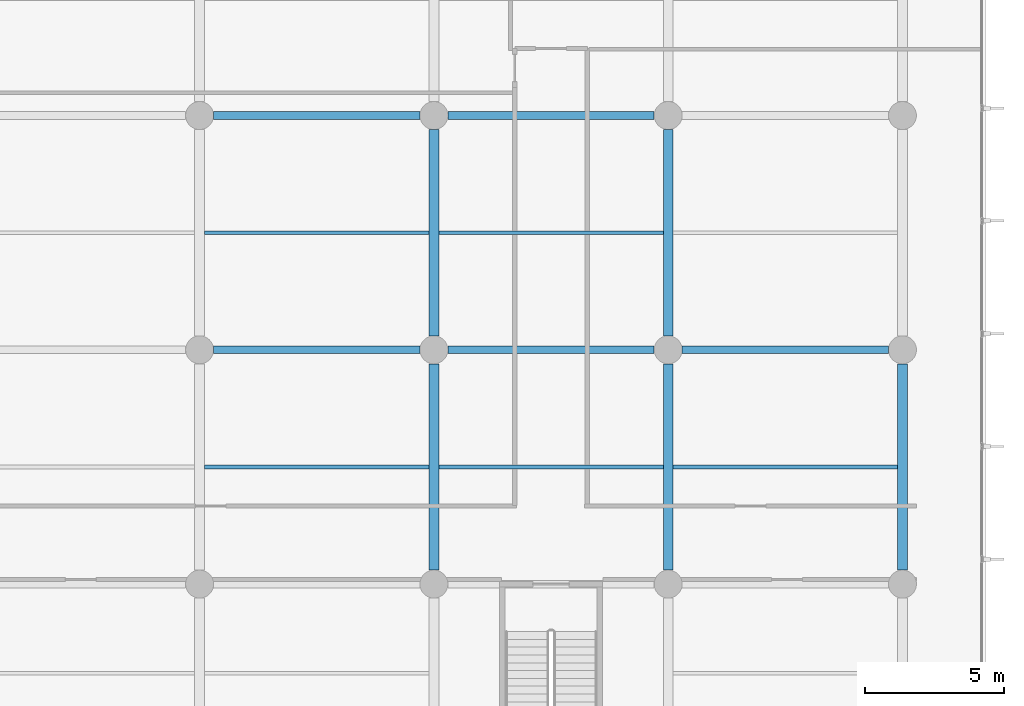
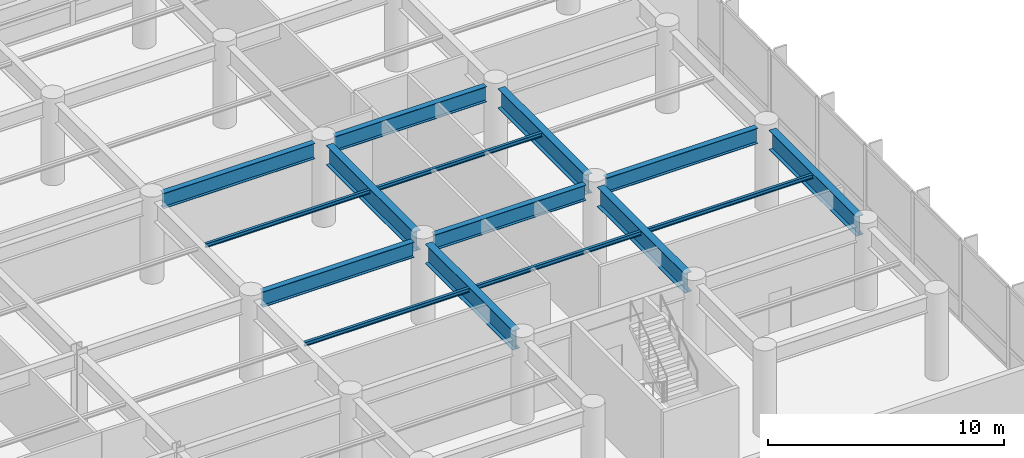
# One storey, part 8 of 26: 15 beams.
"""IFC4 building model written with IfcOpenShell, lengths in metres."""

import ifcopenshell
import ifcopenshell.guid

model = None  # the IFC model being written
_history = None  # IfcOwnerHistory: only IFC2X3 demands one
_inside = {}  # id of a spatial element -> (the spatial element, [elements in it])
_under = {}  # id of a project, library or spatial element -> (it, [spatial elements below it])
_declared = {}  # id of a project -> (the project, [libraries it declares])
_typed = {}  # id of a type object -> (the type object, [elements of that type])
_made_of = {}  # id of a material, layer set ... -> (it, [elements and type objects made of it])


def new_model(schema):
    """Start an empty IFC model of exactly this schema.

    Asked for "IFC4X3", IfcOpenShell would pick the latest addendum, in which some entities
    have other attributes; the version numbers below select the first issue.
    IFC2X3 requires an IfcOwnerHistory on every rooted entity: one is made here for all.
    """
    global model, _history
    if schema == "IFC4X3":
        model = ifcopenshell.file(schema_version=(4, 3, 0, 0))
    else:
        model = ifcopenshell.file(schema=schema)
    _inside.clear()
    _under.clear()
    _declared.clear()
    _typed.clear()
    _made_of.clear()
    _history = None
    if model.schema == "IFC2X3":
        org = make("IfcOrganization", Name="unknown")
        user = make(
            "IfcPersonAndOrganization",
            ThePerson=make("IfcPerson", FamilyName="unknown"),
            TheOrganization=org,
        )
        app = make(
            "IfcApplication",
            ApplicationDeveloper=org,
            Version="unknown",
            ApplicationFullName="unknown",
            ApplicationIdentifier="unknown",
        )
        _history = make(
            "IfcOwnerHistory",
            OwningUser=user,
            OwningApplication=app,
            ChangeAction="ADDED",
            CreationDate=0,
        )
    return model


def make(cls, **values):
    """One entity of the class cls with the attributes given. An attribute that is None is left unset."""
    return model.create_entity(
        cls, **{name: value for name, value in values.items() if value is not None}
    )


def rooted(cls, **values):
    """An entity with a GlobalId (a new one), such as an element, a storey or a relation."""
    return make(cls, GlobalId=ifcopenshell.guid.new(), OwnerHistory=_history, **values)


def si_unit(unit_type, name, prefix=None):
    """IfcSIUnit, for example si_unit("LENGTHUNIT", "METRE", prefix="MILLI")."""
    return make("IfcSIUnit", UnitType=unit_type, Prefix=prefix, Name=name)


def assignment(units):
    """IfcUnitAssignment: the units of a project."""
    return None if units is None else make("IfcUnitAssignment", Units=units)


def point(xyz):
    """IfcCartesianPoint."""
    return None if xyz is None else make("IfcCartesianPoint", Coordinates=xyz)


def direction(xyz):
    """IfcDirection."""
    return None if xyz is None else make("IfcDirection", DirectionRatios=xyz)


def frame(location, z_axis=None, x_axis=None):
    """IfcAxis2Placement3D, a coordinate frame: its origin and axes. An axis left out is left unset."""
    return make(
        "IfcAxis2Placement3D",
        Location=point(location),
        Axis=direction(z_axis),
        RefDirection=direction(x_axis),
    )


def frame_2d(location, x_axis=None):
    """IfcAxis2Placement2D, a coordinate frame in the plane: its origin and x axis."""
    return make(
        "IfcAxis2Placement2D", Location=point(location), RefDirection=direction(x_axis)
    )


def origin():
    """The frame at (0, 0, 0) with its axes left unset."""
    return frame((0.0, 0.0, 0.0))


def origin_2d():
    """The frame at (0, 0) in the plane with its x axis left unset."""
    return frame_2d((0.0, 0.0))


def place(relative_to, where):
    """IfcLocalPlacement: puts the frame where relative to a parent placement (None: the world)."""
    return make(
        "IfcLocalPlacement", PlacementRelTo=relative_to, RelativePlacement=where
    )


def context(
    kind, dimensions, precision=None, world=None, true_north=None, identifier=None
):
    """IfcGeometricRepresentationContext, for example the 3D "Model" context."""
    return make(
        "IfcGeometricRepresentationContext",
        ContextIdentifier=identifier,
        ContextType=kind,
        CoordinateSpaceDimension=dimensions,
        Precision=precision,
        WorldCoordinateSystem=world,
        TrueNorth=true_north,
    )


def subcontext(parent, identifier, kind, view, scale=None):
    """IfcGeometricRepresentationSubContext, for example "Body" below "Model"."""
    return make(
        "IfcGeometricRepresentationSubContext",
        ContextIdentifier=identifier,
        ContextType=kind,
        ParentContext=parent,
        TargetScale=scale,
        TargetView=view,
    )


def project(units=None, contexts=None):
    """IfcProject with its units and contexts."""
    return rooted(
        "IfcProject",
        Name="project",
        RepresentationContexts=contexts,
        UnitsInContext=assignment(units),
    )


def spatial(cls, under=None, at=None, **own):
    """A site, building, storey or space (cls), placed at a placement, below another one or the project."""
    s = rooted(cls, ObjectPlacement=at, **own)
    if under is not None:
        _under.setdefault(under.id(), (under, []))[1].append(s)
    return s


def profile(cls, at=None, kind="AREA", **sizes):
    """A parametric profile (cls). Its sizes go by their IFC names, for example OverallWidth=200.0."""
    return make(cls, ProfileType=kind, Position=at, **sizes)


def i_section(**sizes):
    """IfcIShapeProfileDef."""
    return profile("IfcIShapeProfileDef", **sizes)


def extrude(swept, where, along, depth):
    """IfcExtrudedAreaSolid: the profile swept, set in the frame where, extruded along a direction by depth."""
    return make(
        "IfcExtrudedAreaSolid",
        SweptArea=swept,
        Position=where,
        ExtrudedDirection=direction(along),
        Depth=depth,
    )


def shape(context_of_items, identifier, shape_type, items):
    """IfcShapeRepresentation: the items that make up one representation, for example the "Body"."""
    return make(
        "IfcShapeRepresentation",
        ContextOfItems=context_of_items,
        RepresentationIdentifier=identifier,
        RepresentationType=shape_type,
        Items=items,
    )


def material(Name=None, Category=None):
    """IfcMaterial."""
    return make("IfcMaterial", Name=Name, Category=Category)


def material_profile(
    of_material, cross_section, Name=None, Category=None, Priority=None
):
    """IfcMaterialProfile: a cross section and its material."""
    return make(
        "IfcMaterialProfile",
        Name=Name,
        Material=of_material,
        Profile=cross_section,
        Priority=Priority,
        Category=Category,
    )


def profile_set(profiles, Name=None, composite=None):
    """IfcMaterialProfileSet."""
    return make(
        "IfcMaterialProfileSet",
        Name=Name,
        MaterialProfiles=profiles,
        CompositeProfile=composite,
    )


def made_of(thing, what):
    """Note that an element or type object is made of a material, layer set ...; save() writes the relation."""
    if what is not None:
        _made_of.setdefault(what.id(), (what, []))[1].append(thing)
    return thing


def type_object(cls, material=None, **own):
    """A type object (cls), such as IfcWallType, which elements share."""
    return made_of(rooted(cls, **own), material)


def element(
    cls,
    number,
    at=None,
    inside=None,
    cuts=None,
    type_object=None,
    material=None,
    context=None,
    identifier="Body",
    shape_type=None,
    held_by="IfcProductDefinitionShape",
    body=None,
    shapes=None,
    **own,
):
    """One element of the class cls, such as IfcWall. Its Tag is "e" and its number.

    at: its placement. inside: the storey or other place that contains it. cuts: it is an
    opening in that element (IfcRelVoidsElement). A single representation is given by context,
    identifier, shape_type and body (its items); several are given by shapes. held_by: the class
    of the entity that holds the representations. save() writes the other relations.
    """
    e = rooted(cls, Tag="e%d" % number, ObjectPlacement=at, **own)
    if body is not None:
        shapes = [shape(context, identifier, shape_type, body)]
    if shapes is not None:
        e.Representation = make(held_by, Representations=shapes)
    if inside is not None:
        _inside.setdefault(inside.id(), (inside, []))[1].append(e)
    if cuts is not None:
        rooted(
            "IfcRelVoidsElement", RelatingBuildingElement=cuts, RelatedOpeningElement=e
        )
    if type_object is not None:
        _typed.setdefault(type_object.id(), (type_object, []))[1].append(e)
    return made_of(e, material)


def aggregate(whole, parts):
    """IfcRelAggregates: a whole, such as a stair, and the parts it consists of."""
    return rooted("IfcRelAggregates", RelatingObject=whole, RelatedObjects=parts)


def save(model, path):
    """Write the relations noted so far, then the file.

    IfcRelAggregates (storeys below a building ...), IfcRelContainedInSpatialStructure (elements
    in a storey), IfcRelDefinesByType, IfcRelAssociatesMaterial and IfcRelDeclares: one each for
    every whole, place, type object, material and project.
    """
    for whole, parts in _under.values():
        aggregate(whole, parts)
    for where, things in _inside.values():
        rooted(
            "IfcRelContainedInSpatialStructure",
            RelatedElements=things,
            RelatingStructure=where,
        )
    for kind, things in _typed.values():
        rooted("IfcRelDefinesByType", RelatedObjects=things, RelatingType=kind)
    for what, things in _made_of.values():
        rooted("IfcRelAssociatesMaterial", RelatedObjects=things, RelatingMaterial=what)
    for by, libraries in _declared.values():
        rooted("IfcRelDeclares", RelatingContext=by, RelatedDefinitions=libraries)
    model.write(path)


model = new_model("IFC4")

# Units and contexts
model_context = context("Model", 3, precision=1e-05, world=origin(), true_north=direction((0.0, 1.0)))
body_context = subcontext(model_context, "Body", "Model", "MODEL_VIEW")
ifc_project = project(units=[si_unit("LENGTHUNIT", "METRE"), si_unit("AREAUNIT", "SQUARE_METRE"), si_unit("VOLUMEUNIT", "CUBIC_METRE"), si_unit("PLANEANGLEUNIT", "RADIAN"), si_unit("MASSUNIT", "GRAM", prefix="KILO")], contexts=[model_context])

# Site, building, storey
site_placement = place(None, origin())
site = spatial("IfcSite", under=ifc_project, at=site_placement, CompositionType="ELEMENT")
building_placement = place(site_placement, origin())
building = spatial("IfcBuilding", under=site, at=building_placement, Name="Varnakote Quay Hospital", CompositionType="ELEMENT")
storey_placement = place(building_placement, frame((0.0, 0.0, 13.5)))
storey = spatial("IfcBuildingStorey", under=building, at=storey_placement, Name="L03", CompositionType="ELEMENT", Elevation=13.5)

# Beams
ifc_material_1 = material(Name="Structural steel AS/NZS 3678 Grade 350 (fy 340 MPa)", Category="steel")
ifc_material_profile_1 = material_profile(ifc_material_1, i_section(OverallWidth=0.35009765625, OverallDepth=1.010009765625, WebThickness=0.01611328125, FlangeThickness=0.02490234375, at=origin_2d()), Name="1000WB258")
ifc_profile_set_1 = profile_set([ifc_material_profile_1], Name="Structural steel AS/NZS 3678 Grade 350 (fy 340 MPa)")
beam_type_1 = type_object("IfcBeamType", Name="BM-STL-1000WB258", PredefinedType="BEAM", material=ifc_profile_set_1)
beam_1_placement = place(storey_placement, frame((67.199951171875, 12.5, 3.7451171875), z_axis=(0.0, 1.0, 0.0), x_axis=(-1.0, 0.0, 0.0)))
element("IfcBeam", 1, at=beam_1_placement, inside=storey, type_object=beam_type_1, Name="L03 Primary Tie Beam", PredefinedType="BEAM", context=body_context, shape_type="SweptSolid", body=[
    extrude(i_section(OverallWidth=0.35009765625, OverallDepth=1.010009765625, WebThickness=0.01611328125, FlangeThickness=0.02490234375, at=origin_2d()), origin(), (0.0, 0.0, 1.0), 7.39990234375),
])
beam_2_placement = place(storey_placement, frame((67.199951171875, 20.89990234375, 3.7451171875), z_axis=(0.0, 1.0, 0.0), x_axis=(-1.0, 0.0, 0.0)))
element("IfcBeam", 2, at=beam_2_placement, inside=storey, type_object=beam_type_1, Name="L03 Primary Tie Beam", PredefinedType="BEAM", context=body_context, shape_type="SweptSolid", body=[
    extrude(i_section(OverallWidth=0.35009765625, OverallDepth=1.010009765625, WebThickness=0.01611328125, FlangeThickness=0.02490234375, at=origin_2d()), origin(), (0.0, 0.0, 1.0), 7.400146484375),
])
beam_3_placement = place(storey_placement, frame((75.60009765625, 12.5, 3.7451171875), z_axis=(0.0, 1.0, 0.0), x_axis=(-1.0, 0.0, 0.0)))
element("IfcBeam", 3, at=beam_3_placement, inside=storey, type_object=beam_type_1, Name="L03 Primary Tie Beam", PredefinedType="BEAM", context=body_context, shape_type="SweptSolid", body=[
    extrude(i_section(OverallWidth=0.35009765625, OverallDepth=1.010009765625, WebThickness=0.01611328125, FlangeThickness=0.02490234375, at=origin_2d()), origin(), (0.0, 0.0, 1.0), 7.39990234375),
])
beam_4_placement = place(storey_placement, frame((75.60009765625, 20.89990234375, 3.7451171875), z_axis=(0.0, 1.0, 0.0), x_axis=(-1.0, 0.0, 0.0)))
element("IfcBeam", 4, at=beam_4_placement, inside=storey, type_object=beam_type_1, Name="L03 Primary Tie Beam", PredefinedType="BEAM", context=body_context, shape_type="SweptSolid", body=[
    extrude(i_section(OverallWidth=0.35009765625, OverallDepth=1.010009765625, WebThickness=0.01611328125, FlangeThickness=0.02490234375, at=origin_2d()), origin(), (0.0, 0.0, 1.0), 7.400146484375),
])
beam_5_placement = place(storey_placement, frame((84.0, 12.5, 3.7451171875), z_axis=(0.0, 1.0, 0.0), x_axis=(-1.0, 0.0, 0.0)))
element("IfcBeam", 5, at=beam_5_placement, inside=storey, type_object=beam_type_1, Name="L03 Primary Tie Beam", PredefinedType="BEAM", context=body_context, shape_type="SweptSolid", body=[
    extrude(i_section(OverallWidth=0.35009765625, OverallDepth=1.010009765625, WebThickness=0.01611328125, FlangeThickness=0.02490234375, at=origin_2d()), origin(), (0.0, 0.0, 1.0), 7.39990234375),
])
ifc_material_2 = material(Name="Structural steel AS/NZS 3678 Grade 350 (fy 340 MPa)", Category="steel")
ifc_material_profile_2 = material_profile(ifc_material_2, i_section(OverallWidth=0.27490234375, OverallDepth=0.800048828125, WebThickness=0.010009765625, FlangeThickness=0.02001953125, at=origin_2d()), Name="800WB146")
ifc_profile_set_2 = profile_set([ifc_material_profile_2], Name="Structural steel AS/NZS 3678 Grade 350 (fy 340 MPa)")
beam_type_2 = type_object("IfcBeamType", Name="BM-STL-800WB146", PredefinedType="BEAM", material=ifc_profile_set_2)
beam_6_placement = place(storey_placement, frame((59.300048828125, 20.39990234375, 3.85009765625), z_axis=(1.0, 0.0, 0.0), x_axis=(0.0, 1.0, 0.0)))
element("IfcBeam", 6, at=beam_6_placement, inside=storey, type_object=beam_type_2, Name="L03 Primary Floor Beam", PredefinedType="BEAM", context=body_context, shape_type="SweptSolid", body=[
    extrude(i_section(OverallWidth=0.27490234375, OverallDepth=0.800048828125, WebThickness=0.010009765625, FlangeThickness=0.02001953125, at=origin_2d()), origin(), (0.0, 0.0, 1.0), 7.39990234375),
])
beam_7_placement = place(storey_placement, frame((67.699951171875, 20.39990234375, 3.85009765625), z_axis=(1.0, 0.0, 0.0), x_axis=(0.0, 1.0, 0.0)))
element("IfcBeam", 7, at=beam_7_placement, inside=storey, type_object=beam_type_2, Name="L03 Primary Floor Beam", PredefinedType="BEAM", context=body_context, shape_type="SweptSolid", body=[
    extrude(i_section(OverallWidth=0.27490234375, OverallDepth=0.800048828125, WebThickness=0.010009765625, FlangeThickness=0.02001953125, at=origin_2d()), origin(), (0.0, 0.0, 1.0), 7.400146484375),
])
for number, where, z_axis, x_axis, name in (
    (8, (76.10009765625, 20.39990234375, 3.85009765625), (1.0, 0.0, 0.0), (0.0, 1.0, 0.0), "L03 Primary Floor Beam"),
    (9, (59.300048828125, 28.800048828125, 3.85009765625), (1.0, 0.0, 0.0), (0.0, 1.0, 0.0), "L03 Primary Floor Beam"),
):
    element("IfcBeam", number, at=place(storey_placement, frame(where, z_axis=z_axis, x_axis=x_axis)), inside=storey, type_object=beam_type_2, Name=name, PredefinedType="BEAM", context=body_context, shape_type="SweptSolid", body=[
        extrude(i_section(OverallWidth=0.27490234375, OverallDepth=0.800048828125, WebThickness=0.010009765625, FlangeThickness=0.02001953125, at=origin_2d()), origin(), (0.0, 0.0, 1.0), 7.39990234375),
    ])
beam_8_placement = place(storey_placement, frame((67.699951171875, 28.800048828125, 3.85009765625), z_axis=(1.0, 0.0, 0.0), x_axis=(0.0, 1.0, 0.0)))
element("IfcBeam", 10, at=beam_8_placement, inside=storey, type_object=beam_type_2, Name="L03 Primary Floor Beam", PredefinedType="BEAM", context=body_context, shape_type="SweptSolid", body=[
    extrude(i_section(OverallWidth=0.27490234375, OverallDepth=0.800048828125, WebThickness=0.010009765625, FlangeThickness=0.02001953125, at=origin_2d()), origin(), (0.0, 0.0, 1.0), 7.400146484375),
])
ifc_material_3 = material(Name="Structural steel AS/NZS 3679.1 Grade 350 L0 (fy 340 MPa)", Category="steel")
ifc_material_profile_3 = material_profile(ifc_material_3, i_section(OverallWidth=0.134033203125, OverallDepth=0.20703125, WebThickness=0.00634765625, FlangeThickness=0.009521484375, FilletRadius=0.0087890625, at=origin_2d()), Name="200UB29.8")
ifc_profile_set_3 = profile_set([ifc_material_profile_3], Name="Structural steel AS/NZS 3679.1 Grade 350 L0 (fy 340 MPa)")
beam_type_3 = type_object("IfcBeamType", Name="JST-STL-200UB29-8", PredefinedType="JOIST", material=ifc_profile_set_3)
beam_9_placement = place(storey_placement, frame((58.97509765625, 16.199951171875, 4.146484375), z_axis=(1.0, 0.0, 0.0), x_axis=(0.0, 1.0, 0.0)))
element("IfcBeam", 11, at=beam_9_placement, inside=storey, type_object=beam_type_3, Name="L03 Composite Floor Joist", PredefinedType="JOIST", context=body_context, shape_type="SweptSolid", body=[
    extrude(i_section(OverallWidth=0.134033203125, OverallDepth=0.20703125, WebThickness=0.00634765625, FlangeThickness=0.009521484375, FilletRadius=0.0087890625, at=origin_2d()), origin(), (0.0, 0.0, 1.0), 8.0498046875),
])
for number, where, z_axis, x_axis, name in (
    (12, (67.375, 16.199951171875, 4.146484375), (1.0, 0.0, 0.0), (0.0, 1.0, 0.0), "L03 Composite Floor Joist"),
    (13, (75.77490234375, 16.199951171875, 4.146484375), (1.0, 0.0, 0.0), (0.0, 1.0, 0.0), "L03 Composite Floor Joist"),
):
    element("IfcBeam", number, at=place(storey_placement, frame(where, z_axis=z_axis, x_axis=x_axis)), inside=storey, type_object=beam_type_3, Name=name, PredefinedType="JOIST", context=body_context, shape_type="SweptSolid", body=[
        extrude(i_section(OverallWidth=0.134033203125, OverallDepth=0.20703125, WebThickness=0.00634765625, FlangeThickness=0.009521484375, FilletRadius=0.0087890625, at=origin_2d()), origin(), (0.0, 0.0, 1.0), 8.050048828125),
    ])
beam_10_placement = place(storey_placement, frame((58.97509765625, 24.60009765625, 4.146484375), z_axis=(1.0, 0.0, 0.0), x_axis=(0.0, 1.0, 0.0)))
element("IfcBeam", 14, at=beam_10_placement, inside=storey, type_object=beam_type_3, Name="L03 Composite Floor Joist", PredefinedType="JOIST", context=body_context, shape_type="SweptSolid", body=[
    extrude(i_section(OverallWidth=0.134033203125, OverallDepth=0.20703125, WebThickness=0.00634765625, FlangeThickness=0.009521484375, FilletRadius=0.0087890625, at=origin_2d()), origin(), (0.0, 0.0, 1.0), 8.0498046875),
])
beam_11_placement = place(storey_placement, frame((67.375, 24.60009765625, 4.146484375), z_axis=(1.0, 0.0, 0.0), x_axis=(0.0, 1.0, 0.0)))
element("IfcBeam", 15, at=beam_11_placement, inside=storey, type_object=beam_type_3, Name="L03 Composite Floor Joist", PredefinedType="JOIST", context=body_context, shape_type="SweptSolid", body=[
    extrude(i_section(OverallWidth=0.134033203125, OverallDepth=0.20703125, WebThickness=0.00634765625, FlangeThickness=0.009521484375, FilletRadius=0.0087890625, at=origin_2d()), origin(), (0.0, 0.0, 1.0), 8.050048828125),
])

save(model, "model.ifc")
